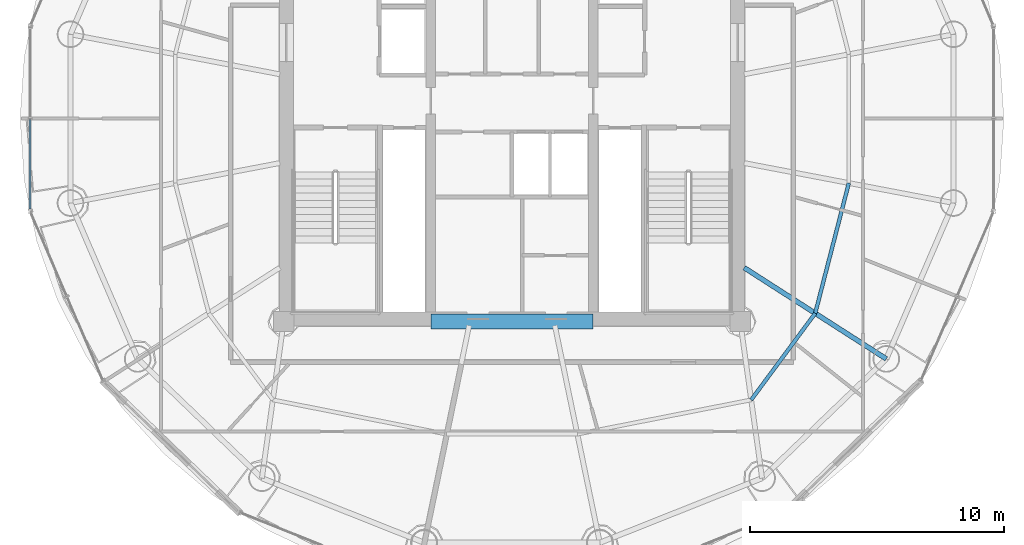
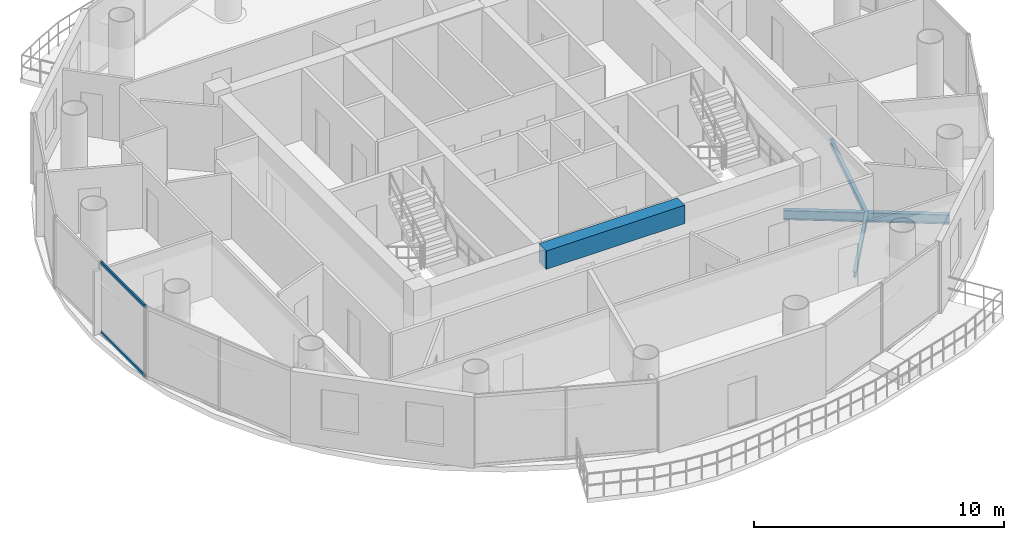
# One storey, part 7 of 22: 4 beams, 2 members, 1 element without a shape of its own.
"""IFC4 building model written with IfcOpenShell, lengths in metres."""

import ifcopenshell
import ifcopenshell.guid

model = None  # the IFC model being written
_history = None  # IfcOwnerHistory: only IFC2X3 demands one
_inside = {}  # id of a spatial element -> (the spatial element, [elements in it])
_under = {}  # id of a project, library or spatial element -> (it, [spatial elements below it])
_declared = {}  # id of a project -> (the project, [libraries it declares])
_typed = {}  # id of a type object -> (the type object, [elements of that type])
_made_of = {}  # id of a material, layer set ... -> (it, [elements and type objects made of it])


def new_model(schema):
    """Start an empty IFC model of exactly this schema.

    Asked for "IFC4X3", IfcOpenShell would pick the latest addendum, in which some entities
    have other attributes; the version numbers below select the first issue.
    IFC2X3 requires an IfcOwnerHistory on every rooted entity: one is made here for all.
    """
    global model, _history
    if schema == "IFC4X3":
        model = ifcopenshell.file(schema_version=(4, 3, 0, 0))
    else:
        model = ifcopenshell.file(schema=schema)
    _inside.clear()
    _under.clear()
    _declared.clear()
    _typed.clear()
    _made_of.clear()
    _history = None
    if model.schema == "IFC2X3":
        org = make("IfcOrganization", Name="unknown")
        user = make(
            "IfcPersonAndOrganization",
            ThePerson=make("IfcPerson", FamilyName="unknown"),
            TheOrganization=org,
        )
        app = make(
            "IfcApplication",
            ApplicationDeveloper=org,
            Version="unknown",
            ApplicationFullName="unknown",
            ApplicationIdentifier="unknown",
        )
        _history = make(
            "IfcOwnerHistory",
            OwningUser=user,
            OwningApplication=app,
            ChangeAction="ADDED",
            CreationDate=0,
        )
    return model


def make(cls, **values):
    """One entity of the class cls with the attributes given. An attribute that is None is left unset."""
    return model.create_entity(
        cls, **{name: value for name, value in values.items() if value is not None}
    )


def rooted(cls, **values):
    """An entity with a GlobalId (a new one), such as an element, a storey or a relation."""
    return make(cls, GlobalId=ifcopenshell.guid.new(), OwnerHistory=_history, **values)


def si_unit(unit_type, name, prefix=None):
    """IfcSIUnit, for example si_unit("LENGTHUNIT", "METRE", prefix="MILLI")."""
    return make("IfcSIUnit", UnitType=unit_type, Prefix=prefix, Name=name)


def assignment(units):
    """IfcUnitAssignment: the units of a project."""
    return None if units is None else make("IfcUnitAssignment", Units=units)


def point(xyz):
    """IfcCartesianPoint."""
    return None if xyz is None else make("IfcCartesianPoint", Coordinates=xyz)


def direction(xyz):
    """IfcDirection."""
    return None if xyz is None else make("IfcDirection", DirectionRatios=xyz)


def frame(location, z_axis=None, x_axis=None):
    """IfcAxis2Placement3D, a coordinate frame: its origin and axes. An axis left out is left unset."""
    return make(
        "IfcAxis2Placement3D",
        Location=point(location),
        Axis=direction(z_axis),
        RefDirection=direction(x_axis),
    )


def frame_2d(location, x_axis=None):
    """IfcAxis2Placement2D, a coordinate frame in the plane: its origin and x axis."""
    return make(
        "IfcAxis2Placement2D", Location=point(location), RefDirection=direction(x_axis)
    )


def origin():
    """The frame at (0, 0, 0) with its axes left unset."""
    return frame((0.0, 0.0, 0.0))


def origin_2d():
    """The frame at (0, 0) in the plane with its x axis left unset."""
    return frame_2d((0.0, 0.0))


def place(relative_to, where):
    """IfcLocalPlacement: puts the frame where relative to a parent placement (None: the world)."""
    return make(
        "IfcLocalPlacement", PlacementRelTo=relative_to, RelativePlacement=where
    )


def context(
    kind, dimensions, precision=None, world=None, true_north=None, identifier=None
):
    """IfcGeometricRepresentationContext, for example the 3D "Model" context."""
    return make(
        "IfcGeometricRepresentationContext",
        ContextIdentifier=identifier,
        ContextType=kind,
        CoordinateSpaceDimension=dimensions,
        Precision=precision,
        WorldCoordinateSystem=world,
        TrueNorth=true_north,
    )


def subcontext(parent, identifier, kind, view, scale=None):
    """IfcGeometricRepresentationSubContext, for example "Body" below "Model"."""
    return make(
        "IfcGeometricRepresentationSubContext",
        ContextIdentifier=identifier,
        ContextType=kind,
        ParentContext=parent,
        TargetScale=scale,
        TargetView=view,
    )


def project(units=None, contexts=None):
    """IfcProject with its units and contexts."""
    return rooted(
        "IfcProject",
        Name="project",
        RepresentationContexts=contexts,
        UnitsInContext=assignment(units),
    )


def spatial(cls, under=None, at=None, **own):
    """A site, building, storey or space (cls), placed at a placement, below another one or the project."""
    s = rooted(cls, ObjectPlacement=at, **own)
    if under is not None:
        _under.setdefault(under.id(), (under, []))[1].append(s)
    return s


def profile(cls, at=None, kind="AREA", **sizes):
    """A parametric profile (cls). Its sizes go by their IFC names, for example OverallWidth=200.0."""
    return make(cls, ProfileType=kind, Position=at, **sizes)


def rectangle(**sizes):
    """IfcRectangleProfileDef."""
    return profile("IfcRectangleProfileDef", **sizes)


def hollow_rectangle(**sizes):
    """IfcRectangleHollowProfileDef."""
    return profile("IfcRectangleHollowProfileDef", **sizes)


def i_section(**sizes):
    """IfcIShapeProfileDef."""
    return profile("IfcIShapeProfileDef", **sizes)


def extrude(swept, where, along, depth):
    """IfcExtrudedAreaSolid: the profile swept, set in the frame where, extruded along a direction by depth."""
    return make(
        "IfcExtrudedAreaSolid",
        SweptArea=swept,
        Position=where,
        ExtrudedDirection=direction(along),
        Depth=depth,
    )


def shape(context_of_items, identifier, shape_type, items):
    """IfcShapeRepresentation: the items that make up one representation, for example the "Body"."""
    return make(
        "IfcShapeRepresentation",
        ContextOfItems=context_of_items,
        RepresentationIdentifier=identifier,
        RepresentationType=shape_type,
        Items=items,
    )


def source(mapping_origin, context_of_items, identifier, shape_type, items):
    """IfcRepresentationMap: a shape defined once, which mapped items show again and again."""
    return make(
        "IfcRepresentationMap",
        MappingOrigin=mapping_origin,
        MappedRepresentation=shape(context_of_items, identifier, shape_type, items),
    )


def transform(
    local_origin,
    x_axis=None,
    y_axis=None,
    z_axis=None,
    scale=None,
    scale2=None,
    scale3=None,
    uniform=True,
):
    """IfcCartesianTransformationOperator3D, or its non-uniform kind. x_axis, y_axis, z_axis: its Axis1, 2, 3."""
    if uniform:
        return make(
            "IfcCartesianTransformationOperator3D",
            Axis1=direction(x_axis),
            Axis2=direction(y_axis),
            LocalOrigin=point(local_origin),
            Scale=scale,
            Axis3=direction(z_axis),
        )
    return make(
        "IfcCartesianTransformationOperator3DnonUniform",
        Axis1=direction(x_axis),
        Axis2=direction(y_axis),
        LocalOrigin=point(local_origin),
        Scale=scale,
        Axis3=direction(z_axis),
        Scale2=scale2,
        Scale3=scale3,
    )


def mapped(mapping_source, mapping_target):
    """IfcMappedItem: shows the shape of a source again, moved by a transform."""
    return make(
        "IfcMappedItem", MappingSource=mapping_source, MappingTarget=mapping_target
    )


def material(Name=None, Category=None):
    """IfcMaterial."""
    return make("IfcMaterial", Name=Name, Category=Category)


def material_profile(
    of_material, cross_section, Name=None, Category=None, Priority=None
):
    """IfcMaterialProfile: a cross section and its material."""
    return make(
        "IfcMaterialProfile",
        Name=Name,
        Material=of_material,
        Profile=cross_section,
        Priority=Priority,
        Category=Category,
    )


def profile_set(profiles, Name=None, composite=None):
    """IfcMaterialProfileSet."""
    return make(
        "IfcMaterialProfileSet",
        Name=Name,
        MaterialProfiles=profiles,
        CompositeProfile=composite,
    )


def made_of(thing, what):
    """Note that an element or type object is made of a material, layer set ...; save() writes the relation."""
    if what is not None:
        _made_of.setdefault(what.id(), (what, []))[1].append(thing)
    return thing


def type_object(cls, material=None, **own):
    """A type object (cls), such as IfcWallType, which elements share."""
    return made_of(rooted(cls, **own), material)


def element(
    cls,
    number,
    at=None,
    inside=None,
    cuts=None,
    type_object=None,
    material=None,
    context=None,
    identifier="Body",
    shape_type=None,
    held_by="IfcProductDefinitionShape",
    body=None,
    shapes=None,
    **own,
):
    """One element of the class cls, such as IfcWall. Its Tag is "e" and its number.

    at: its placement. inside: the storey or other place that contains it. cuts: it is an
    opening in that element (IfcRelVoidsElement). A single representation is given by context,
    identifier, shape_type and body (its items); several are given by shapes. held_by: the class
    of the entity that holds the representations. save() writes the other relations.
    """
    e = rooted(cls, Tag="e%d" % number, ObjectPlacement=at, **own)
    if body is not None:
        shapes = [shape(context, identifier, shape_type, body)]
    if shapes is not None:
        e.Representation = make(held_by, Representations=shapes)
    if inside is not None:
        _inside.setdefault(inside.id(), (inside, []))[1].append(e)
    if cuts is not None:
        rooted(
            "IfcRelVoidsElement", RelatingBuildingElement=cuts, RelatedOpeningElement=e
        )
    if type_object is not None:
        _typed.setdefault(type_object.id(), (type_object, []))[1].append(e)
    return made_of(e, material)


def aggregate(whole, parts):
    """IfcRelAggregates: a whole, such as a stair, and the parts it consists of."""
    return rooted("IfcRelAggregates", RelatingObject=whole, RelatedObjects=parts)


def save(model, path):
    """Write the relations noted so far, then the file.

    IfcRelAggregates (storeys below a building ...), IfcRelContainedInSpatialStructure (elements
    in a storey), IfcRelDefinesByType, IfcRelAssociatesMaterial and IfcRelDeclares: one each for
    every whole, place, type object, material and project.
    """
    for whole, parts in _under.values():
        aggregate(whole, parts)
    for where, things in _inside.values():
        rooted(
            "IfcRelContainedInSpatialStructure",
            RelatedElements=things,
            RelatingStructure=where,
        )
    for kind, things in _typed.values():
        rooted("IfcRelDefinesByType", RelatedObjects=things, RelatingType=kind)
    for what, things in _made_of.values():
        rooted("IfcRelAssociatesMaterial", RelatedObjects=things, RelatingMaterial=what)
    for by, libraries in _declared.values():
        rooted("IfcRelDeclares", RelatingContext=by, RelatedDefinitions=libraries)
    model.write(path)


model = new_model("IFC4")

# Units and contexts
model_context = context("Model", 3, precision=1e-05, world=origin(), true_north=direction((-0.2419218956, 0.970295726276)))
body_context = subcontext(model_context, "Body", "Model", "MODEL_VIEW")
ifc_project = project(units=[si_unit("LENGTHUNIT", "METRE"), si_unit("AREAUNIT", "SQUARE_METRE"), si_unit("VOLUMEUNIT", "CUBIC_METRE"), si_unit("PLANEANGLEUNIT", "RADIAN"), si_unit("MASSUNIT", "GRAM", prefix="KILO")], contexts=[model_context])

# Site, building, storey
site_placement = place(None, origin())
site = spatial("IfcSite", under=ifc_project, at=site_placement, CompositionType="ELEMENT")
building_placement = place(site_placement, origin())
building = spatial("IfcBuilding", under=site, at=building_placement, Name="Cobrevalo Terracotta Tower", CompositionType="ELEMENT")
storey_placement = place(building_placement, frame((0.0, 0.0, 289.449951171875)))
storey = spatial("IfcBuildingStorey", under=building, at=storey_placement, Name="L76", CompositionType="ELEMENT", Elevation=289.449951171875)

# Beams
ifc_material_1 = material(Name="Concrete C60", Category="concrete")
ifc_material_profile_1 = material_profile(ifc_material_1, rectangle(XDim=0.60009765625, YDim=0.89990234375, at=origin_2d()), Name="RC CB 600x900")
ifc_profile_set_1 = profile_set([ifc_material_profile_1], Name="Concrete C60")
beam_type_1 = type_object("IfcBeamType", Name="Structural Beam RC CB 600x900 (Concrete C60)", PredefinedType="BEAM", material=ifc_profile_set_1)
beam_1_placement = place(storey_placement, frame((34.800048828125, 18.800048828125, 3.0400390625), z_axis=(1.0, 0.0, 0.0), x_axis=(0.0, 1.0, 0.0)))
element("IfcBeam", 1, at=beam_1_placement, inside=storey, type_object=beam_type_1, Name="L76 core coupling beam 1", PredefinedType="BEAM", context=body_context, shape_type="SweptSolid", body=[
    extrude(rectangle(XDim=0.60009765625, YDim=0.89990234375, at=origin_2d()), origin(), (0.0, 0.0, 1.0), 6.39990234375),
])
ifc_material_2 = material(Name="Steel S355", Category="steel")
ifc_material_profile_2 = material_profile(ifc_material_2, i_section(OverallWidth=0.19091796875, OverallDepth=0.4599609375, WebThickness=0.010009765625, FlangeThickness=0.01611328125, at=origin_2d()), Name="W 460x82")
ifc_profile_set_2 = profile_set([ifc_material_profile_2], Name="Steel S355")
beam_type_2 = type_object("IfcBeamType", Name="Structural Beam W 460x82 (Steel S355)", PredefinedType="BEAM", material=ifc_profile_set_2)
beam_2_placement = place(storey_placement, frame((52.758544921875, 17.32763671875, -0.489990234375), z_axis=(-0.84157615512, 0.540138477739, 0.0), x_axis=(-0.540138477739, -0.84157615512, 0.0)))
element("IfcBeam", 2, at=beam_2_placement, inside=storey, type_object=beam_type_2, Name="L76 radial floor girder 15", PredefinedType="BEAM", context=body_context, shape_type="SweptSolid", body=[
    extrude(i_section(OverallWidth=0.19091796875, OverallDepth=0.4599609375, WebThickness=0.010009765625, FlangeThickness=0.01611328125, at=origin_2d()), origin(), (0.0, 0.0, 1.0), 6.658447265625),
])
ifc_material_profile_3 = material_profile(ifc_material_2, i_section(OverallWidth=0.14794921875, OverallDepth=0.26611328125, WebThickness=0.007568359375, FlangeThickness=0.012939453125, at=origin_2d()), Name="W 250x44.8")
ifc_profile_set_3 = profile_set([ifc_material_profile_3], Name="Steel S355")
beam_type_3 = type_object("IfcBeamType", Name="Structural Joist W 250x44.8 (Steel S355)", PredefinedType="JOIST", material=ifc_profile_set_3)
beam_3_placement = place(storey_placement, frame((47.4306640625, 15.711669921875, -0.39306640625), z_axis=(0.594799916617, 0.803873783123, 0.0), x_axis=(-0.803873783123, 0.594799916617, 0.0)))
element("IfcBeam", 3, at=beam_3_placement, inside=storey, type_object=beam_type_3, Name="L76 circumferential secondary floor joist 14", PredefinedType="JOIST", context=body_context, shape_type="SweptSolid", body=[
    extrude(i_section(OverallWidth=0.14794921875, OverallDepth=0.26611328125, WebThickness=0.007568359375, FlangeThickness=0.012939453125, at=origin_2d()), origin(), (0.0, 0.0, 1.0), 4.2470703125),
])
beam_4_placement = place(storey_placement, frame((49.956787109375, 19.125732421875, -0.39306640625), z_axis=(0.249816773293, 0.968293126993, 0.0), x_axis=(-0.968293126993, 0.249816773293, 0.0)))
element("IfcBeam", 4, at=beam_4_placement, inside=storey, type_object=beam_type_3, Name="L76 circumferential secondary floor joist 15", PredefinedType="JOIST", context=body_context, shape_type="SweptSolid", body=[
    extrude(i_section(OverallWidth=0.14794921875, OverallDepth=0.26611328125, WebThickness=0.007568359375, FlangeThickness=0.012939453125, at=origin_2d()), origin(), (0.0, 0.0, 1.0), 5.3046875),
])

# Curtain wall, members
ifc_material_3 = material(Name="Anodized aluminium", Category="aluminium")
curtain_wall_type = type_object("IfcCurtainWallType", Name="Upper-tower triple-glazed penthouse curtain wall CW-U3", PredefinedType="NOTDEFINED", material=ifc_material_3)
curtain_wall_placement = place(storey_placement, origin())
curtain_wall = element("IfcCurtainWall", 5, at=curtain_wall_placement, inside=storey, type_object=curtain_wall_type, Name="L76 curtain wall CW-L76-S08", PredefinedType="NOTDEFINED")
ifc_material_profile_4 = material_profile(ifc_material_3, hollow_rectangle(XDim=0.074951171875, YDim=0.14990234375, WallThickness=0.00439453125, at=origin_2d()), Name="CWT 75x150")
ifc_profile_set_4 = profile_set([ifc_material_profile_4], Name="Anodized aluminium")
member_type = type_object("IfcMemberType", Name="Tower unitised aluminium transom 75x150", PredefinedType="USERDEFINED", material=ifc_profile_set_4)
shared_shape = source(origin(), body_context, "Body", "SweptSolid", [
    extrude(hollow_rectangle(XDim=0.074951171875, YDim=0.14990234375, WallThickness=0.00439453125, at=origin_2d()), origin(), (0.0, 0.0, 1.0), 3.5224609375),
])
member_1_placement = place(storey_placement, frame((19.002197265625, 26.760009765625, 0.050048828125), z_axis=(0.0, -1.0, 0.0), x_axis=(1.0, 0.0, 0.0)))
member_1 = element("IfcMember", 6, at=member_1_placement, type_object=member_type, Name="CW-L76-S08 transom B02-T1", ObjectType="TRANSOM", PredefinedType="USERDEFINED", context=body_context, shape_type="MappedRepresentation", body=[
    mapped(shared_shape, transform((0.0, 0.0, 0.0), scale=1.0)),
])
member_2_placement = place(storey_placement, frame((19.002197265625, 26.760009765625, 3.43994140625), z_axis=(0.0, -1.0, 0.0), x_axis=(1.0, 0.0, 0.0)))
member_2 = element("IfcMember", 7, at=member_2_placement, type_object=member_type, Name="CW-L76-S08 transom B02-T2", ObjectType="TRANSOM", PredefinedType="USERDEFINED", context=body_context, shape_type="MappedRepresentation", body=[
    mapped(shared_shape, transform((0.0, 0.0, 0.0), scale=1.0)),
])
aggregate(curtain_wall, [member_1, member_2])

save(model, "model.ifc")
